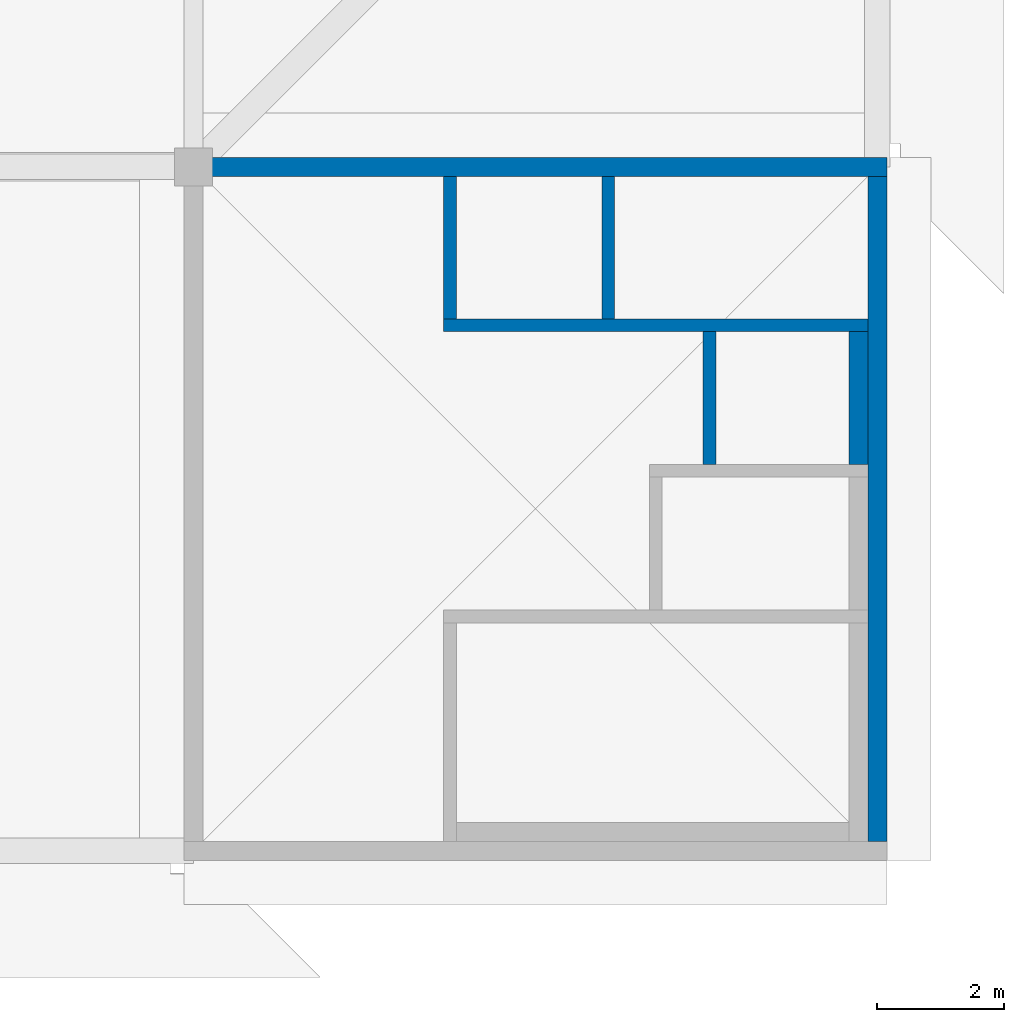
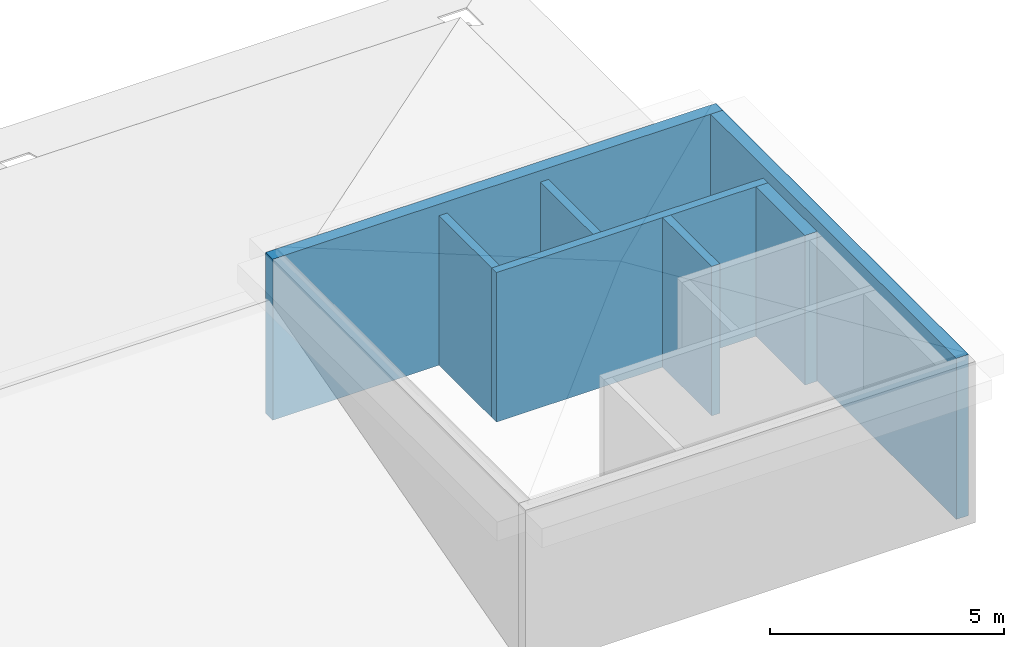
# One storey, part 2 of 3: 7 walls.
"""IFC4 building model written with IfcOpenShell, lengths in metres."""

from ifc_helpers import new_model, si_unit, direction, frame, frame_2d, origin, place, context, subcontext, project, spatial, rectangle, extrude, material, layer, layer_set, type_object, element, save


model = new_model("IFC4")

# Units and contexts
model_context = context("Model", 3, precision=1e-05, world=origin(), true_north=direction((0.0, 1.0)))
body_context = subcontext(model_context, "Body", "Model", "MODEL_VIEW")
ifc_project = project(units=[si_unit("LENGTHUNIT", "METRE"), si_unit("AREAUNIT", "SQUARE_METRE"), si_unit("VOLUMEUNIT", "CUBIC_METRE"), si_unit("PLANEANGLEUNIT", "RADIAN"), si_unit("MASSUNIT", "GRAM", prefix="KILO")], contexts=[model_context])

# Site, building, storey
site_placement = place(None, origin())
site = spatial("IfcSite", under=ifc_project, at=site_placement, CompositionType="ELEMENT")
building_placement = place(site_placement, origin())
building = spatial("IfcBuilding", under=site, at=building_placement, Name="Magnolia Steps Interchange", CompositionType="ELEMENT")
storey_placement = place(building_placement, frame((0.0, 0.0, 28.199951171875)))
storey = spatial("IfcBuildingStorey", under=building, at=storey_placement, Name="RF", CompositionType="ELEMENT", Elevation=28.199951171875)

# Walls
ifc_material_1 = material(Name="Concrete C35", Category="concrete")
ifc_layer_1 = layer(ifc_material_1, 0.199951171875)
ifc_layer_set_1 = layer_set([ifc_layer_1], Name="Core enclosure wall 200")
wall_type_1 = type_object("IfcWallType", Name="Core enclosure wall 200", PredefinedType="SOLIDWALL", material=ifc_layer_set_1)
wall_1_placement = place(storey_placement, frame((111.25, 107.050048828125, 0.0), z_axis=(0.0, 0.0, 1.0), x_axis=(0.0, -1.0, 0.0)))
element("IfcWall", 1, at=wall_1_placement, inside=storey, type_object=wall_type_1, Name="RF OC-E enclosure wall", PredefinedType="SOLIDWALL", context=body_context, shape_type="SweptSolid", body=[
    extrude(rectangle(XDim=2.25, YDim=0.199951171875, at=frame_2d((1.125, 0.0))), origin(), (0.0, 0.0, 1.0), 3.900146484375),
])
wall_2_placement = place(storey_placement, frame((111.14990234375, 104.699951171875, 0.0), z_axis=(0.0, 0.0, 1.0), x_axis=(1.0, 0.0, 0.0)))
element("IfcWall", 2, at=wall_2_placement, inside=storey, type_object=wall_type_1, Name="RF OC-E enclosure wall", PredefinedType="SOLIDWALL", context=body_context, shape_type="SweptSolid", body=[
    extrude(rectangle(XDim=6.7001953125, YDim=0.199951171875, at=frame_2d((3.35009765625, 0.0))), origin(), (0.0, 0.0, 1.0), 3.900146484375),
])
wall_3_placement = place(storey_placement, frame((115.35009765625, 104.60009765625, 0.0), z_axis=(0.0, 0.0, 1.0), x_axis=(0.0, -1.0, 0.0)))
element("IfcWall", 3, at=wall_3_placement, inside=storey, type_object=wall_type_1, Name="RF OC-E enclosure wall", PredefinedType="SOLIDWALL", context=body_context, shape_type="SweptSolid", body=[
    extrude(rectangle(XDim=2.10009765625, YDim=0.199951171875, at=frame_2d((1.050048828125, 0.0))), origin(), (0.0, 0.0, 1.0), 3.900146484375),
])
ifc_material_2 = material(Name="Concrete C35", Category="concrete")
ifc_layer_2 = layer(ifc_material_2, 0.300048828125)
ifc_layer_set_2 = layer_set([ifc_layer_2], Name="Core lining wall 300")
wall_type_2 = type_object("IfcWallType", Name="Core lining wall 300", PredefinedType="SOLIDWALL", material=ifc_layer_set_2)
wall_4_placement = place(storey_placement, frame((117.699951171875, 104.60009765625, 0.0), z_axis=(0.0, 0.0, 1.0), x_axis=(0.0, -1.0, 0.0)))
element("IfcWall", 4, at=wall_4_placement, inside=storey, type_object=wall_type_2, Name="RF OC-E stair lining wall", PredefinedType="SOLIDWALL", context=body_context, shape_type="SweptSolid", body=[
    extrude(rectangle(XDim=2.10009765625, YDim=0.300048828125, at=frame_2d((1.050048828125, 0.0))), origin(), (0.0, 0.0, 1.0), 3.900146484375),
])
ifc_material_3 = material(Name="Fair-faced blockwork", Category="masonry")
ifc_layer_3 = layer(ifc_material_3, 0.199951171875)
ifc_layer_set_3 = layer_set([ifc_layer_3], Name="Core partition 200")
wall_type_3 = type_object("IfcWallType", Name="Core partition 200", PredefinedType="PARTITIONING", material=ifc_layer_set_3)
wall_5_placement = place(storey_placement, frame((113.75, 107.050048828125, 0.0), z_axis=(0.0, 0.0, 1.0), x_axis=(0.0, -1.0, 0.0)))
element("IfcWall", 5, at=wall_5_placement, inside=storey, type_object=wall_type_3, Name="RF OC-E toilet partition", PredefinedType="PARTITIONING", context=body_context, shape_type="SweptSolid", body=[
    extrude(rectangle(XDim=2.25, YDim=0.199951171875, at=frame_2d((1.125, 0.0))), origin(), (0.0, 0.0, 1.0), 3.900146484375),
])
ifc_material_4 = material(Name="Concrete C40", Category="concrete")
ifc_layer_4 = layer(ifc_material_4, 0.300048828125)
ifc_layer_set_4 = layer_set([ifc_layer_4], Name="Core wall 300")
wall_type_4 = type_object("IfcWallType", Name="Core wall 300", PredefinedType="SOLIDWALL", material=ifc_layer_set_4)
wall_6_placement = place(storey_placement, frame((118.0, 96.550048828125, 0.0), z_axis=(0.0, 0.0, 1.0), x_axis=(0.0, 1.0, 0.0)))
element("IfcWall", 6, at=wall_6_placement, inside=storey, type_object=wall_type_4, Name="Core wall OC-E", PredefinedType="SOLIDWALL", context=body_context, shape_type="SweptSolid", body=[
    extrude(rectangle(XDim=10.5, YDim=0.300048828125, at=frame_2d((5.25, 0.0))), origin(), (0.0, 0.0, 1.0), 4.199951171875),
])
wall_7_placement = place(storey_placement, frame((118.14990234375, 107.199951171875, 0.0), z_axis=(0.0, 0.0, 1.0), x_axis=(-1.0, 0.0, 0.0)))
element("IfcWall", 7, at=wall_7_placement, inside=storey, type_object=wall_type_4, Name="Core wall OC-E", PredefinedType="SOLIDWALL", context=body_context, shape_type="SweptSolid", body=[
    extrude(rectangle(XDim=11.099853515625, YDim=0.300048828125, at=frame_2d((5.5498046875, 0.0))), origin(), (0.0, 0.0, 1.0), 4.199951171875),
])

save(model, "model.ifc")
